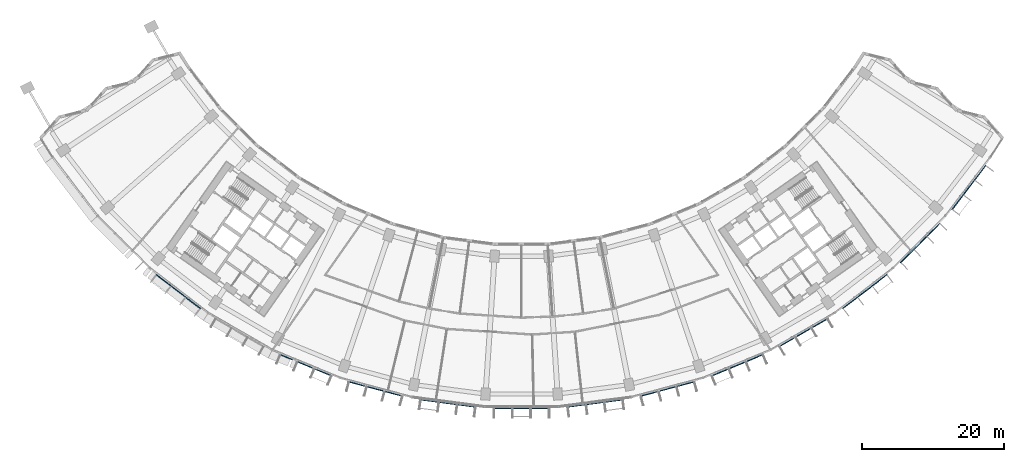
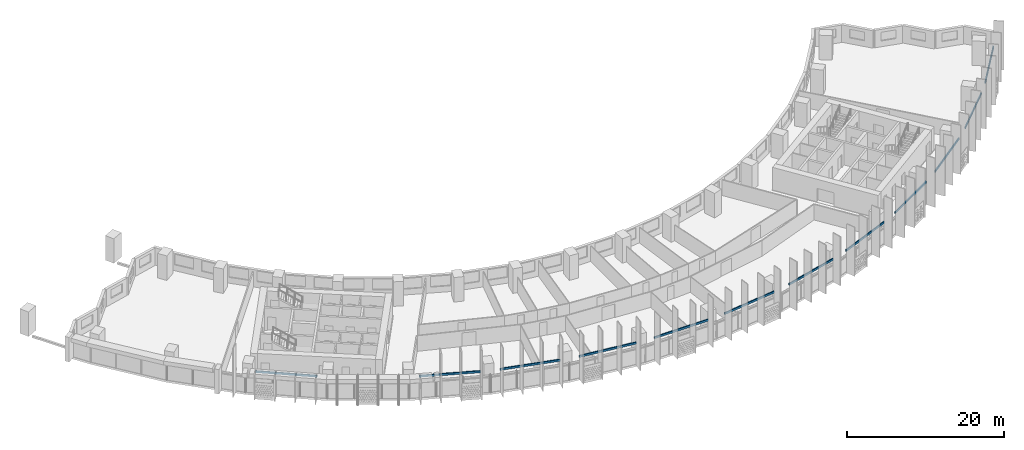
# One storey, part 9 of 33: 12 discrete accessories.
"""IFC4 building model written with IfcOpenShell, lengths in metres."""

import ifcopenshell
import ifcopenshell.guid

model = None  # the IFC model being written
_history = None  # IfcOwnerHistory: only IFC2X3 demands one
_inside = {}  # id of a spatial element -> (the spatial element, [elements in it])
_under = {}  # id of a project, library or spatial element -> (it, [spatial elements below it])
_declared = {}  # id of a project -> (the project, [libraries it declares])
_typed = {}  # id of a type object -> (the type object, [elements of that type])
_made_of = {}  # id of a material, layer set ... -> (it, [elements and type objects made of it])


def new_model(schema):
    """Start an empty IFC model of exactly this schema.

    Asked for "IFC4X3", IfcOpenShell would pick the latest addendum, in which some entities
    have other attributes; the version numbers below select the first issue.
    IFC2X3 requires an IfcOwnerHistory on every rooted entity: one is made here for all.
    """
    global model, _history
    if schema == "IFC4X3":
        model = ifcopenshell.file(schema_version=(4, 3, 0, 0))
    else:
        model = ifcopenshell.file(schema=schema)
    _inside.clear()
    _under.clear()
    _declared.clear()
    _typed.clear()
    _made_of.clear()
    _history = None
    if model.schema == "IFC2X3":
        org = make("IfcOrganization", Name="unknown")
        user = make(
            "IfcPersonAndOrganization",
            ThePerson=make("IfcPerson", FamilyName="unknown"),
            TheOrganization=org,
        )
        app = make(
            "IfcApplication",
            ApplicationDeveloper=org,
            Version="unknown",
            ApplicationFullName="unknown",
            ApplicationIdentifier="unknown",
        )
        _history = make(
            "IfcOwnerHistory",
            OwningUser=user,
            OwningApplication=app,
            ChangeAction="ADDED",
            CreationDate=0,
        )
    return model


def make(cls, **values):
    """One entity of the class cls with the attributes given. An attribute that is None is left unset."""
    return model.create_entity(
        cls, **{name: value for name, value in values.items() if value is not None}
    )


def rooted(cls, **values):
    """An entity with a GlobalId (a new one), such as an element, a storey or a relation."""
    return make(cls, GlobalId=ifcopenshell.guid.new(), OwnerHistory=_history, **values)


def si_unit(unit_type, name, prefix=None):
    """IfcSIUnit, for example si_unit("LENGTHUNIT", "METRE", prefix="MILLI")."""
    return make("IfcSIUnit", UnitType=unit_type, Prefix=prefix, Name=name)


def assignment(units):
    """IfcUnitAssignment: the units of a project."""
    return None if units is None else make("IfcUnitAssignment", Units=units)


def point(xyz):
    """IfcCartesianPoint."""
    return None if xyz is None else make("IfcCartesianPoint", Coordinates=xyz)


def direction(xyz):
    """IfcDirection."""
    return None if xyz is None else make("IfcDirection", DirectionRatios=xyz)


def frame(location, z_axis=None, x_axis=None):
    """IfcAxis2Placement3D, a coordinate frame: its origin and axes. An axis left out is left unset."""
    return make(
        "IfcAxis2Placement3D",
        Location=point(location),
        Axis=direction(z_axis),
        RefDirection=direction(x_axis),
    )


def frame_2d(location, x_axis=None):
    """IfcAxis2Placement2D, a coordinate frame in the plane: its origin and x axis."""
    return make(
        "IfcAxis2Placement2D", Location=point(location), RefDirection=direction(x_axis)
    )


def origin():
    """The frame at (0, 0, 0) with its axes left unset."""
    return frame((0.0, 0.0, 0.0))


def origin_2d():
    """The frame at (0, 0) in the plane with its x axis left unset."""
    return frame_2d((0.0, 0.0))


def place(relative_to, where):
    """IfcLocalPlacement: puts the frame where relative to a parent placement (None: the world)."""
    return make(
        "IfcLocalPlacement", PlacementRelTo=relative_to, RelativePlacement=where
    )


def context(
    kind, dimensions, precision=None, world=None, true_north=None, identifier=None
):
    """IfcGeometricRepresentationContext, for example the 3D "Model" context."""
    return make(
        "IfcGeometricRepresentationContext",
        ContextIdentifier=identifier,
        ContextType=kind,
        CoordinateSpaceDimension=dimensions,
        Precision=precision,
        WorldCoordinateSystem=world,
        TrueNorth=true_north,
    )


def subcontext(parent, identifier, kind, view, scale=None):
    """IfcGeometricRepresentationSubContext, for example "Body" below "Model"."""
    return make(
        "IfcGeometricRepresentationSubContext",
        ContextIdentifier=identifier,
        ContextType=kind,
        ParentContext=parent,
        TargetScale=scale,
        TargetView=view,
    )


def project(units=None, contexts=None):
    """IfcProject with its units and contexts."""
    return rooted(
        "IfcProject",
        Name="project",
        RepresentationContexts=contexts,
        UnitsInContext=assignment(units),
    )


def spatial(cls, under=None, at=None, **own):
    """A site, building, storey or space (cls), placed at a placement, below another one or the project."""
    s = rooted(cls, ObjectPlacement=at, **own)
    if under is not None:
        _under.setdefault(under.id(), (under, []))[1].append(s)
    return s


def profile(cls, at=None, kind="AREA", **sizes):
    """A parametric profile (cls). Its sizes go by their IFC names, for example OverallWidth=200.0."""
    return make(cls, ProfileType=kind, Position=at, **sizes)


def rectangle(**sizes):
    """IfcRectangleProfileDef."""
    return profile("IfcRectangleProfileDef", **sizes)


def extrude(swept, where, along, depth):
    """IfcExtrudedAreaSolid: the profile swept, set in the frame where, extruded along a direction by depth."""
    return make(
        "IfcExtrudedAreaSolid",
        SweptArea=swept,
        Position=where,
        ExtrudedDirection=direction(along),
        Depth=depth,
    )


def shape(context_of_items, identifier, shape_type, items):
    """IfcShapeRepresentation: the items that make up one representation, for example the "Body"."""
    return make(
        "IfcShapeRepresentation",
        ContextOfItems=context_of_items,
        RepresentationIdentifier=identifier,
        RepresentationType=shape_type,
        Items=items,
    )


def material(Name=None, Category=None):
    """IfcMaterial."""
    return make("IfcMaterial", Name=Name, Category=Category)


def made_of(thing, what):
    """Note that an element or type object is made of a material, layer set ...; save() writes the relation."""
    if what is not None:
        _made_of.setdefault(what.id(), (what, []))[1].append(thing)
    return thing


def type_object(cls, material=None, **own):
    """A type object (cls), such as IfcWallType, which elements share."""
    return made_of(rooted(cls, **own), material)


def element(
    cls,
    number,
    at=None,
    inside=None,
    cuts=None,
    type_object=None,
    material=None,
    context=None,
    identifier="Body",
    shape_type=None,
    held_by="IfcProductDefinitionShape",
    body=None,
    shapes=None,
    **own,
):
    """One element of the class cls, such as IfcWall. Its Tag is "e" and its number.

    at: its placement. inside: the storey or other place that contains it. cuts: it is an
    opening in that element (IfcRelVoidsElement). A single representation is given by context,
    identifier, shape_type and body (its items); several are given by shapes. held_by: the class
    of the entity that holds the representations. save() writes the other relations.
    """
    e = rooted(cls, Tag="e%d" % number, ObjectPlacement=at, **own)
    if body is not None:
        shapes = [shape(context, identifier, shape_type, body)]
    if shapes is not None:
        e.Representation = make(held_by, Representations=shapes)
    if inside is not None:
        _inside.setdefault(inside.id(), (inside, []))[1].append(e)
    if cuts is not None:
        rooted(
            "IfcRelVoidsElement", RelatingBuildingElement=cuts, RelatedOpeningElement=e
        )
    if type_object is not None:
        _typed.setdefault(type_object.id(), (type_object, []))[1].append(e)
    return made_of(e, material)


def aggregate(whole, parts):
    """IfcRelAggregates: a whole, such as a stair, and the parts it consists of."""
    return rooted("IfcRelAggregates", RelatingObject=whole, RelatedObjects=parts)


def save(model, path):
    """Write the relations noted so far, then the file.

    IfcRelAggregates (storeys below a building ...), IfcRelContainedInSpatialStructure (elements
    in a storey), IfcRelDefinesByType, IfcRelAssociatesMaterial and IfcRelDeclares: one each for
    every whole, place, type object, material and project.
    """
    for whole, parts in _under.values():
        aggregate(whole, parts)
    for where, things in _inside.values():
        rooted(
            "IfcRelContainedInSpatialStructure",
            RelatedElements=things,
            RelatingStructure=where,
        )
    for kind, things in _typed.values():
        rooted("IfcRelDefinesByType", RelatedObjects=things, RelatingType=kind)
    for what, things in _made_of.values():
        rooted("IfcRelAssociatesMaterial", RelatedObjects=things, RelatingMaterial=what)
    for by, libraries in _declared.values():
        rooted("IfcRelDeclares", RelatingContext=by, RelatedDefinitions=libraries)
    model.write(path)


model = new_model("IFC4")

# Units and contexts
model_context = context("Model", 3, precision=1e-05, world=origin(), true_north=direction((0.0, 1.0)))
body_context = subcontext(model_context, "Body", "Model", "MODEL_VIEW")
ifc_project = project(units=[si_unit("LENGTHUNIT", "METRE"), si_unit("AREAUNIT", "SQUARE_METRE"), si_unit("VOLUMEUNIT", "CUBIC_METRE"), si_unit("PLANEANGLEUNIT", "RADIAN"), si_unit("MASSUNIT", "GRAM", prefix="KILO")], contexts=[model_context])

# Site, building, storey
site_placement = place(None, origin())
site = spatial("IfcSite", under=ifc_project, at=site_placement, CompositionType="ELEMENT")
building_placement = place(site_placement, origin())
building = spatial("IfcBuilding", under=site, at=building_placement, Name="Qamariyya Broadcast Tower", CompositionType="ELEMENT")
storey_placement = place(building_placement, frame((0.0, 0.0, 78.5)))
storey = spatial("IfcBuildingStorey", under=building, at=storey_placement, Name="L16", CompositionType="ELEMENT", Elevation=78.5)

# Discrete accessories
ifc_material = material(Name="Stainless steel 316", Category="steel")
discrete_accessory_type = type_object("IfcDiscreteAccessoryType", Name="Slab edge fixing angle, stainless steel", PredefinedType="BRACKET", material=ifc_material)
for number, where, z_axis, x_axis, name in (
    (1, (-48.4296875, -63.11474609375, 3.2998046875), (0.0, 0.0, 1.0), (0.793353340291, -0.608761429009, 0.0), "e-br-L16-03-0"),
    (2, (-30.444091796875, -73.498779296875, 3.2998046875), (0.0, 0.0, 1.0), (0.923879532511, -0.382683432365, 0.0), "e-br-L16-05-0"),
    (3, (-20.59033203125, -76.84375, 3.2998046875), (0.0, 0.0, 1.0), (0.965925826289, -0.258819045103, 0.0), "e-br-L16-06-0"),
    (4, (-10.384033203125, -78.873779296875, 3.2998046875), (0.0, 0.0, 1.0), (0.991444861374, -0.13052619222, 0.0), "e-br-L16-07-0"),
    (5, (0.0, -79.554443359375, 3.2998046875), (0.0, 0.0, 1.0), (1.0, 0.0, 0.0), "e-br-L16-08-0"),
    (6, (10.384033203125, -78.873779296875, 3.2998046875), (0.0, 0.0, 1.0), (0.991444861374, 0.13052619222, 0.0), "e-br-L16-09-0"),
    (7, (20.59033203125, -76.84375, 3.2998046875), (0.0, 0.0, 1.0), (0.965925826289, 0.258819045103, 0.0), "e-br-L16-10-0"),
    (8, (30.444091796875, -73.498779296875, 3.2998046875), (0.0, 0.0, 1.0), (0.923879532511, 0.382683432365, 0.0), "e-br-L16-11-0"),
    (9, (39.77734375, -68.896240234375, 3.2998046875), (0.0, 0.0, 1.0), (0.866025403784, 0.5, 0.0), "e-br-L16-12-0"),
    (10, (48.4296875, -63.11474609375, 3.2998046875), (0.0, 0.0, 1.0), (0.793353340291, 0.608761429009, 0.0), "e-br-L16-13-0"),
    (11, (56.25341796875, -56.25341796875, 3.2998046875), (0.0, 0.0, 1.0), (0.707106781187, 0.707106781187, 0.0), "e-br-L16-14-0"),
    (12, (63.11474609375, -48.4296875, 3.2998046875), (0.0, 0.0, 1.0), (0.608761429009, 0.793353340291, 0.0), "e-br-L16-15-0"),
):
    element("IfcDiscreteAccessory", number, at=place(storey_placement, frame(where, z_axis=z_axis, x_axis=x_axis)), inside=storey, type_object=discrete_accessory_type, Name=name, PredefinedType="BRACKET", context=body_context, shape_type="SweptSolid", body=[
        extrude(rectangle(XDim=7.9140625, YDim=0.14990234375, at=origin_2d()), origin(), (0.0, 0.0, 1.0), 0.300048828125),
    ])

save(model, "model.ifc")
